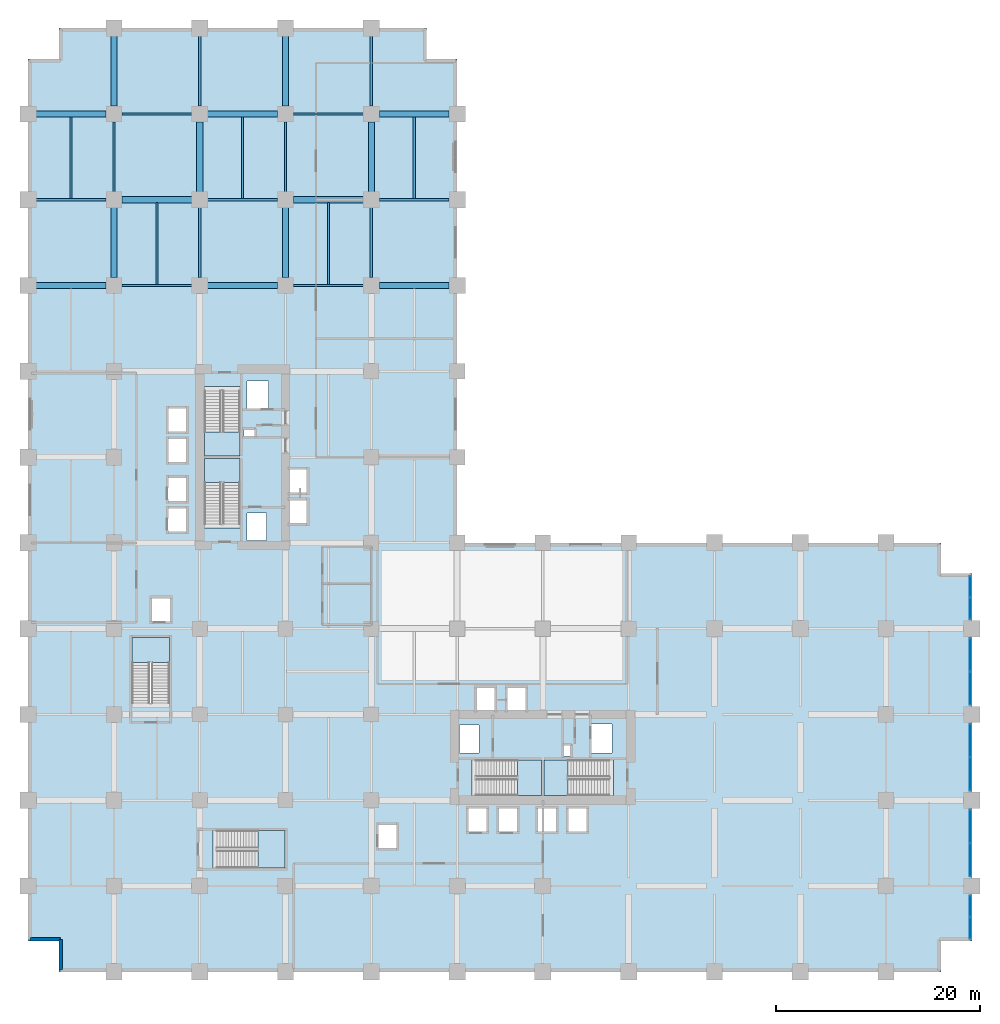
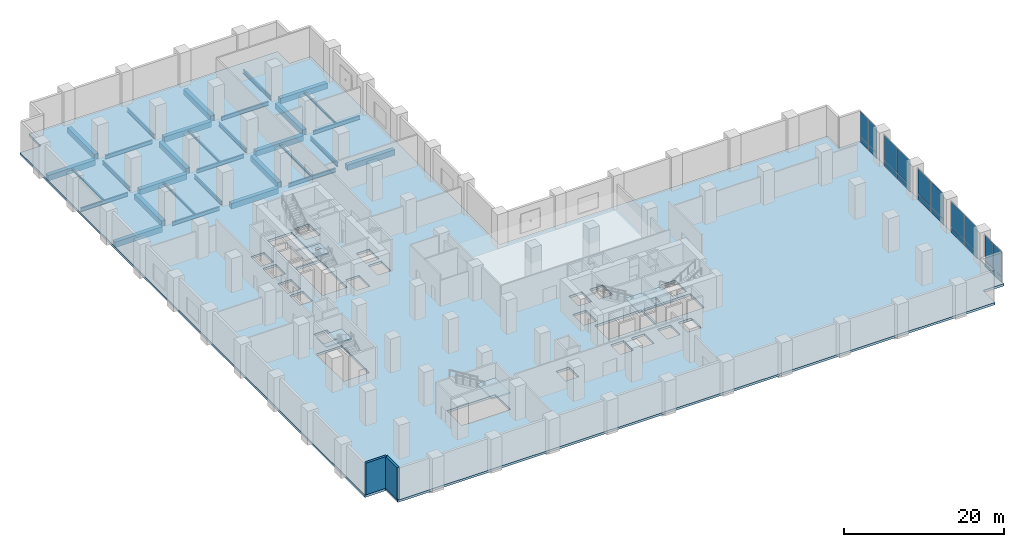
# One storey, part 8 of 19: 32 beams, 20 plates, 7 slabs, 2 walls, 11 elements without a shape of their own.
"""IFC4 building model written with IfcOpenShell, lengths in metres."""

from ifc_helpers import new_model, si_unit, direction, frame, frame_2d, origin, origin_2d, place, context, subcontext, project, spatial, polyline, rectangle, i_section, outline, extrude, material, layer, layer_set, material_profile, profile_set, type_object, element, aggregate, save


model = new_model("IFC4")

# Units and contexts
model_context = context("Model", 3, precision=1e-05, world=origin(), true_north=direction((0.0, 1.0)))
body_context = subcontext(model_context, "Body", "Model", "MODEL_VIEW")
ifc_project = project(units=[si_unit("LENGTHUNIT", "METRE"), si_unit("AREAUNIT", "SQUARE_METRE"), si_unit("VOLUMEUNIT", "CUBIC_METRE"), si_unit("PLANEANGLEUNIT", "RADIAN"), si_unit("MASSUNIT", "GRAM", prefix="KILO")], contexts=[model_context])

# Site, building, storey
site_placement = place(None, origin())
site = spatial("IfcSite", under=ifc_project, at=site_placement, CompositionType="ELEMENT")
building_placement = place(site_placement, origin())
building = spatial("IfcBuilding", under=site, at=building_placement, Name="Koriwani Terraces Tower", CompositionType="ELEMENT")
storey_placement = place(building_placement, frame((0.0, 0.0, 15.60009765625)))
storey = spatial("IfcBuildingStorey", under=building, at=storey_placement, Name="L03", CompositionType="ELEMENT", Elevation=15.60009765625)

# Beams
ifc_material_1 = material(Name="Concrete C60/75", Category="concrete")
ifc_material_profile_1 = material_profile(ifc_material_1, rectangle(XDim=0.60009765625, YDim=0.85009765625, at=origin_2d()), Name="Concrete C60/75", Category="LoadBearing")
ifc_profile_set_1 = profile_set([ifc_material_profile_1], Name="Concrete C60/75")
beam_type_1 = type_object("IfcBeamType", Name="BEAM_RC_GRID_600X850", PredefinedType="BEAM", material=ifc_profile_set_1)
beam_1_placement = place(storey_placement, frame((0.780029296875, 67.199951171875, -0.775146484375), z_axis=(1.0, 0.0, 0.0), x_axis=(0.0, 1.0, 0.0)))
element("IfcBeam", 1, at=beam_1_placement, inside=storey, type_object=beam_type_1, Name="L03 Grid Beam I (0.0-8.4m)", PredefinedType="BEAM", context=body_context, shape_type="SweptSolid", body=[
    extrude(rectangle(XDim=0.60009765625, YDim=0.85009765625, at=origin_2d()), origin(), (0.0, 0.0, 1.0), 6.840087890625),
])
beam_2_placement = place(storey_placement, frame((17.580078125, 67.199951171875, -0.775146484375), z_axis=(1.0, 0.0, 0.0), x_axis=(0.0, 1.0, 0.0)))
element("IfcBeam", 2, at=beam_2_placement, inside=storey, type_object=beam_type_1, Name="L03 Grid Beam I (16.8-25.2m)", PredefinedType="BEAM", context=body_context, shape_type="SweptSolid", body=[
    extrude(rectangle(XDim=0.60009765625, YDim=0.85009765625, at=origin_2d()), origin(), (0.0, 0.0, 1.0), 6.83984375),
])
for number, where, z_axis, x_axis, name in (
    (3, (34.3798828125, 67.199951171875, -0.775146484375), (1.0, 0.0, 0.0), (0.0, 1.0, 0.0), "L03 Grid Beam I (33.6-42.0m)"),
    (4, (9.179931640625, 75.60009765625, -0.775146484375), (1.0, 0.0, 0.0), (0.0, 1.0, 0.0), "L03 Grid Beam J (8.4-16.8m)"),
    (5, (25.97998046875, 75.60009765625, -0.775146484375), (1.0, 0.0, 0.0), (0.0, 1.0, 0.0), "L03 Grid Beam J (25.2-33.6m)"),
    (6, (0.780029296875, 84.0, -0.775146484375), (1.0, 0.0, 0.0), (0.0, 1.0, 0.0), "L03 Grid Beam K (0.0-8.4m)"),
):
    element("IfcBeam", number, at=place(storey_placement, frame(where, z_axis=z_axis, x_axis=x_axis)), inside=storey, type_object=beam_type_1, Name=name, PredefinedType="BEAM", context=body_context, shape_type="SweptSolid", body=[
        extrude(rectangle(XDim=0.60009765625, YDim=0.85009765625, at=origin_2d()), origin(), (0.0, 0.0, 1.0), 6.840087890625),
    ])
beam_3_placement = place(storey_placement, frame((17.580078125, 84.0, -0.775146484375), z_axis=(1.0, 0.0, 0.0), x_axis=(0.0, 1.0, 0.0)))
element("IfcBeam", 7, at=beam_3_placement, inside=storey, type_object=beam_type_1, Name="L03 Grid Beam K (16.8-25.2m)", PredefinedType="BEAM", context=body_context, shape_type="SweptSolid", body=[
    extrude(rectangle(XDim=0.60009765625, YDim=0.85009765625, at=origin_2d()), origin(), (0.0, 0.0, 1.0), 6.83984375),
])
for number, where, z_axis, x_axis, name in (
    (8, (34.3798828125, 84.0, -0.775146484375), (1.0, 0.0, 0.0), (0.0, 1.0, 0.0), "L03 Grid Beam K (33.6-42.0m)"),
    (9, (8.39990234375, 67.97998046875, -0.775146484375), (0.0, 1.0, 0.0), (-1.0, 0.0, 0.0), "L03 Grid Beam 2 (67.2-75.6m)"),
    (10, (8.39990234375, 84.780029296875, -0.775146484375), (0.0, 1.0, 0.0), (-1.0, 0.0, 0.0), "L03 Grid Beam 2 (84.0-92.4m)"),
    (11, (16.800048828125, 76.3798828125, -0.775146484375), (0.0, 1.0, 0.0), (-1.0, 0.0, 0.0), "L03 Grid Beam 3 (75.6-84.0m)"),
    (12, (25.199951171875, 67.97998046875, -0.775146484375), (0.0, 1.0, 0.0), (-1.0, 0.0, 0.0), "L03 Grid Beam 4 (67.2-75.6m)"),
    (13, (25.199951171875, 84.780029296875, -0.775146484375), (0.0, 1.0, 0.0), (-1.0, 0.0, 0.0), "L03 Grid Beam 4 (84.0-92.4m)"),
    (14, (33.60009765625, 76.3798828125, -0.775146484375), (0.0, 1.0, 0.0), (-1.0, 0.0, 0.0), "L03 Grid Beam 5 (75.6-84.0m)"),
):
    element("IfcBeam", number, at=place(storey_placement, frame(where, z_axis=z_axis, x_axis=x_axis)), inside=storey, type_object=beam_type_1, Name=name, PredefinedType="BEAM", context=body_context, shape_type="SweptSolid", body=[
        extrude(rectangle(XDim=0.60009765625, YDim=0.85009765625, at=origin_2d()), origin(), (0.0, 0.0, 1.0), 6.840087890625),
    ])
ifc_material_2 = material(Name="Steel ASTM A572 Grade 50", Category="steel")
ifc_material_profile_2 = material_profile(ifc_material_2, i_section(OverallWidth=0.205078125, OverallDepth=0.31005859375, WebThickness=0.009521484375, FlangeThickness=0.016357421875, at=origin_2d()), Name="Steel ASTM A572 Grade 50", Category="LoadBearing")
ifc_profile_set_2 = profile_set([ifc_material_profile_2], Name="Steel ASTM A572 Grade 50")
beam_type_2 = type_object("IfcBeamType", Name="STEEL_BEAM_W310X74", PredefinedType="JOIST", material=ifc_profile_set_2)
beam_4_placement = place(storey_placement, frame((4.199951171875, 75.70458984375, -0.505126953125), z_axis=(0.0, 1.0, 0.0), x_axis=(-1.0, 0.0, 0.0)))
element("IfcBeam", 15, at=beam_4_placement, inside=storey, type_object=beam_type_2, Name="L03 Secondary Steel Floor Joist X=4.2m", PredefinedType="JOIST", context=body_context, shape_type="SweptSolid", body=[
    extrude(i_section(OverallWidth=0.205078125, OverallDepth=0.31005859375, WebThickness=0.009521484375, FlangeThickness=0.016357421875, at=origin_2d()), origin(), (0.0, 0.0, 1.0), 8.00537109375),
])
beam_5_placement = place(storey_placement, frame((12.60009765625, 67.304443359375, -0.505126953125), z_axis=(0.0, 1.0, 0.0), x_axis=(-1.0, 0.0, 0.0)))
element("IfcBeam", 16, at=beam_5_placement, inside=storey, type_object=beam_type_2, Name="L03 Secondary Steel Floor Joist X=12.6m", PredefinedType="JOIST", context=body_context, shape_type="SweptSolid", body=[
    extrude(i_section(OverallWidth=0.205078125, OverallDepth=0.31005859375, WebThickness=0.009521484375, FlangeThickness=0.016357421875, at=origin_2d()), origin(), (0.0, 0.0, 1.0), 8.005615234375),
])
beam_6_placement = place(storey_placement, frame((21.0, 75.70458984375, -0.505126953125), z_axis=(0.0, 1.0, 0.0), x_axis=(-1.0, 0.0, 0.0)))
element("IfcBeam", 17, at=beam_6_placement, inside=storey, type_object=beam_type_2, Name="L03 Secondary Steel Floor Joist X=21.0m", PredefinedType="JOIST", context=body_context, shape_type="SweptSolid", body=[
    extrude(i_section(OverallWidth=0.205078125, OverallDepth=0.31005859375, WebThickness=0.009521484375, FlangeThickness=0.016357421875, at=origin_2d()), origin(), (0.0, 0.0, 1.0), 8.00537109375),
])
beam_7_placement = place(storey_placement, frame((29.39990234375, 67.304443359375, -0.505126953125), z_axis=(0.0, 1.0, 0.0), x_axis=(-1.0, 0.0, 0.0)))
element("IfcBeam", 18, at=beam_7_placement, inside=storey, type_object=beam_type_2, Name="L03 Secondary Steel Floor Joist X=29.4m", PredefinedType="JOIST", context=body_context, shape_type="SweptSolid", body=[
    extrude(i_section(OverallWidth=0.205078125, OverallDepth=0.31005859375, WebThickness=0.009521484375, FlangeThickness=0.016357421875, at=origin_2d()), origin(), (0.0, 0.0, 1.0), 8.005615234375),
])
beam_8_placement = place(storey_placement, frame((37.800048828125, 75.70458984375, -0.505126953125), z_axis=(0.0, 1.0, 0.0), x_axis=(-1.0, 0.0, 0.0)))
element("IfcBeam", 19, at=beam_8_placement, inside=storey, type_object=beam_type_2, Name="L03 Secondary Steel Floor Joist X=37.8m", PredefinedType="JOIST", context=body_context, shape_type="SweptSolid", body=[
    extrude(i_section(OverallWidth=0.205078125, OverallDepth=0.31005859375, WebThickness=0.009521484375, FlangeThickness=0.016357421875, at=origin_2d()), origin(), (0.0, 0.0, 1.0), 8.00537109375),
])
ifc_material_profile_3 = material_profile(ifc_material_2, i_section(OverallWidth=0.22900390625, OverallDepth=0.611083984375, WebThickness=0.0126953125, FlangeThickness=0.022216796875, at=origin_2d()), Name="Steel ASTM A572 Grade 50", Category="LoadBearing")
ifc_profile_set_3 = profile_set([ifc_material_profile_3], Name="Steel ASTM A572 Grade 50")
beam_type_3 = type_object("IfcBeamType", Name="STEEL_BEAM_W610X155", PredefinedType="BEAM", material=ifc_profile_set_3)
for number, where, z_axis, x_axis, name in (
    (20, (9.179931640625, 67.199951171875, -0.655517578125), (1.0, 0.0, 0.0), (0.0, 1.0, 0.0), "L03 Grid Beam I (8.4-16.8m)"),
    (21, (25.97998046875, 67.199951171875, -0.655517578125), (1.0, 0.0, 0.0), (0.0, 1.0, 0.0), "L03 Grid Beam I (25.2-33.6m)"),
    (22, (0.780029296875, 75.60009765625, -0.655517578125), (1.0, 0.0, 0.0), (0.0, 1.0, 0.0), "L03 Grid Beam J (0.0-8.4m)"),
):
    element("IfcBeam", number, at=place(storey_placement, frame(where, z_axis=z_axis, x_axis=x_axis)), inside=storey, type_object=beam_type_3, Name=name, PredefinedType="BEAM", context=body_context, shape_type="SweptSolid", body=[
        extrude(i_section(OverallWidth=0.22900390625, OverallDepth=0.611083984375, WebThickness=0.0126953125, FlangeThickness=0.022216796875, at=origin_2d()), origin(), (0.0, 0.0, 1.0), 6.840087890625),
    ])
beam_9_placement = place(storey_placement, frame((17.580078125, 75.60009765625, -0.655517578125), z_axis=(1.0, 0.0, 0.0), x_axis=(0.0, 1.0, 0.0)))
element("IfcBeam", 23, at=beam_9_placement, inside=storey, type_object=beam_type_3, Name="L03 Grid Beam J (16.8-25.2m)", PredefinedType="BEAM", context=body_context, shape_type="SweptSolid", body=[
    extrude(i_section(OverallWidth=0.22900390625, OverallDepth=0.611083984375, WebThickness=0.0126953125, FlangeThickness=0.022216796875, at=origin_2d()), origin(), (0.0, 0.0, 1.0), 6.83984375),
])
for number, where, z_axis, x_axis, name in (
    (24, (34.3798828125, 75.60009765625, -0.655517578125), (1.0, 0.0, 0.0), (0.0, 1.0, 0.0), "L03 Grid Beam J (33.6-42.0m)"),
    (25, (9.179931640625, 84.0, -0.655517578125), (1.0, 0.0, 0.0), (0.0, 1.0, 0.0), "L03 Grid Beam K (8.4-16.8m)"),
    (26, (25.97998046875, 84.0, -0.655517578125), (1.0, 0.0, 0.0), (0.0, 1.0, 0.0), "L03 Grid Beam K (25.2-33.6m)"),
    (27, (8.39990234375, 76.3798828125, -0.655517578125), (0.0, 1.0, 0.0), (-1.0, 0.0, 0.0), "L03 Grid Beam 2 (75.6-84.0m)"),
    (28, (16.800048828125, 67.97998046875, -0.655517578125), (0.0, 1.0, 0.0), (-1.0, 0.0, 0.0), "L03 Grid Beam 3 (67.2-75.6m)"),
    (29, (16.800048828125, 84.780029296875, -0.655517578125), (0.0, 1.0, 0.0), (-1.0, 0.0, 0.0), "L03 Grid Beam 3 (84.0-92.4m)"),
    (30, (25.199951171875, 76.3798828125, -0.655517578125), (0.0, 1.0, 0.0), (-1.0, 0.0, 0.0), "L03 Grid Beam 4 (75.6-84.0m)"),
    (31, (33.60009765625, 67.97998046875, -0.655517578125), (0.0, 1.0, 0.0), (-1.0, 0.0, 0.0), "L03 Grid Beam 5 (67.2-75.6m)"),
    (32, (33.60009765625, 84.780029296875, -0.655517578125), (0.0, 1.0, 0.0), (-1.0, 0.0, 0.0), "L03 Grid Beam 5 (84.0-92.4m)"),
):
    element("IfcBeam", number, at=place(storey_placement, frame(where, z_axis=z_axis, x_axis=x_axis)), inside=storey, type_object=beam_type_3, Name=name, PredefinedType="BEAM", context=body_context, shape_type="SweptSolid", body=[
        extrude(i_section(OverallWidth=0.22900390625, OverallDepth=0.611083984375, WebThickness=0.0126953125, FlangeThickness=0.022216796875, at=origin_2d()), origin(), (0.0, 0.0, 1.0), 6.840087890625),
    ])

# Curtain wall, plates
ifc_material_3 = material(Name="Anodised Bronze Aluminium", Category="aluminium")
ifc_layer_1 = layer(ifc_material_3, 0.199951171875, Name="Anodised Bronze Aluminium")
ifc_layer_set_1 = layer_set([ifc_layer_1], Name="Anodised Bronze Aluminium")
curtain_wall_type = type_object("IfcCurtainWallType", Name="CW_PODIUM_GALLERIA", PredefinedType="NOTDEFINED", material=ifc_layer_set_1)
curtain_wall_1_placement = place(storey_placement, origin())
curtain_wall_1 = element("IfcCurtainWall", 33, at=curtain_wall_1_placement, inside=storey, type_object=curtain_wall_type, Name="L03 Unitised Curtain Wall (E_TIP) Bay 1", PredefinedType="NOTDEFINED")
ifc_material_4 = material(Name="Tempered Laminated Low-E Glass", Category="glass")
ifc_layer_2 = layer(ifc_material_4, 0.028076171875, Name="Tempered Laminated Low-E Glass")
ifc_layer_set_2 = layer_set([ifc_layer_2], Name="Tempered Laminated Low-E Glass")
plate_type = type_object("IfcPlateType", Name="CW_PANEL_VISION_28", PredefinedType="CURTAIN_PANEL", material=ifc_layer_set_2)
plate_1_placement = place(storey_placement, frame((92.22509765625, 37.71240234375, 0.06494140625), z_axis=(0.0, 0.0, 1.0), x_axis=(0.0, -1.0, 0.0)))
plate_1 = element("IfcPlate", 34, at=plate_1_placement, type_object=plate_type, Name="CW-POD panel 1.1", PredefinedType="CURTAIN_PANEL", context=body_context, shape_type="SweptSolid", body=[
    extrude(rectangle(XDim=2.054931640625, YDim=0.028076171875, at=origin_2d()), origin(), (0.0, 0.0, 1.0), 0.802490234375),
])
plate_2_placement = place(storey_placement, frame((92.22509765625, 37.71240234375, 0.932373046875), z_axis=(0.0, 0.0, 1.0), x_axis=(0.0, -1.0, 0.0)))
plate_2 = element("IfcPlate", 35, at=plate_2_placement, type_object=plate_type, Name="CW-POD panel 1.2", PredefinedType="CURTAIN_PANEL", context=body_context, shape_type="SweptSolid", body=[
    extrude(rectangle(XDim=2.054931640625, YDim=0.028076171875, at=origin_2d()), origin(), (0.0, 0.0, 1.0), 3.8525390625),
])
plate_3_placement = place(storey_placement, frame((92.22509765625, 35.572509765625, 0.06494140625), z_axis=(0.0, 0.0, 1.0), x_axis=(0.0, -1.0, 0.0)))
plate_3 = element("IfcPlate", 36, at=plate_3_placement, type_object=plate_type, Name="CW-POD panel 2.1", PredefinedType="CURTAIN_PANEL", context=body_context, shape_type="SweptSolid", body=[
    extrude(rectangle(XDim=2.054931640625, YDim=0.028076171875, at=origin_2d()), origin(), (0.0, 0.0, 1.0), 0.802490234375),
])
plate_4_placement = place(storey_placement, frame((92.22509765625, 35.572509765625, 0.932373046875), z_axis=(0.0, 0.0, 1.0), x_axis=(0.0, -1.0, 0.0)))
plate_4 = element("IfcPlate", 37, at=plate_4_placement, type_object=plate_type, Name="CW-POD panel 2.2", PredefinedType="CURTAIN_PANEL", context=body_context, shape_type="SweptSolid", body=[
    extrude(rectangle(XDim=2.054931640625, YDim=0.028076171875, at=origin_2d()), origin(), (0.0, 0.0, 1.0), 3.8525390625),
])
aggregate(curtain_wall_1, [plate_1, plate_2, plate_3, plate_4])

curtain_wall_2_placement = place(storey_placement, origin())
curtain_wall_2 = element("IfcCurtainWall", 38, at=curtain_wall_2_placement, inside=storey, type_object=curtain_wall_type, Name="L03 Unitised Curtain Wall (E_TIP) Bay 2", PredefinedType="NOTDEFINED")
plate_5_placement = place(storey_placement, frame((92.22509765625, 31.048828125, 0.06494140625), z_axis=(0.0, 0.0, 1.0), x_axis=(0.0, -1.0, 0.0)))
plate_5 = element("IfcPlate", 39, at=plate_5_placement, type_object=plate_type, Name="CW-POD panel 1.1", PredefinedType="CURTAIN_PANEL", context=body_context, shape_type="SweptSolid", body=[
    extrude(rectangle(XDim=3.21240234375, YDim=0.028076171875, at=origin_2d()), origin(), (0.0, 0.0, 1.0), 0.802490234375),
])
plate_6_placement = place(storey_placement, frame((92.22509765625, 31.048828125, 0.932373046875), z_axis=(0.0, 0.0, 1.0), x_axis=(0.0, -1.0, 0.0)))
plate_6 = element("IfcPlate", 40, at=plate_6_placement, type_object=plate_type, Name="CW-POD panel 1.2", PredefinedType="CURTAIN_PANEL", context=body_context, shape_type="SweptSolid", body=[
    extrude(rectangle(XDim=3.21240234375, YDim=0.028076171875, at=origin_2d()), origin(), (0.0, 0.0, 1.0), 3.8525390625),
])
plate_7_placement = place(storey_placement, frame((92.22509765625, 27.751220703125, 0.06494140625), z_axis=(0.0, 0.0, 1.0), x_axis=(0.0, -1.0, 0.0)))
plate_7 = element("IfcPlate", 41, at=plate_7_placement, type_object=plate_type, Name="CW-POD panel 2.1", PredefinedType="CURTAIN_PANEL", context=body_context, shape_type="SweptSolid", body=[
    extrude(rectangle(XDim=3.21240234375, YDim=0.028076171875, at=origin_2d()), origin(), (0.0, 0.0, 1.0), 0.802490234375),
])
plate_8_placement = place(storey_placement, frame((92.22509765625, 27.751220703125, 0.932373046875), z_axis=(0.0, 0.0, 1.0), x_axis=(0.0, -1.0, 0.0)))
plate_8 = element("IfcPlate", 42, at=plate_8_placement, type_object=plate_type, Name="CW-POD panel 2.2", PredefinedType="CURTAIN_PANEL", context=body_context, shape_type="SweptSolid", body=[
    extrude(rectangle(XDim=3.21240234375, YDim=0.028076171875, at=origin_2d()), origin(), (0.0, 0.0, 1.0), 3.8525390625),
])
aggregate(curtain_wall_2, [plate_5, plate_6, plate_7, plate_8])

curtain_wall_3_placement = place(storey_placement, origin())
curtain_wall_3 = element("IfcCurtainWall", 43, at=curtain_wall_3_placement, inside=storey, type_object=curtain_wall_type, Name="L03 Unitised Curtain Wall (E_TIP) Bay 3", PredefinedType="NOTDEFINED")
plate_9_placement = place(storey_placement, frame((92.22509765625, 22.648681640625, 0.06494140625), z_axis=(0.0, 0.0, 1.0), x_axis=(0.0, -1.0, 0.0)))
plate_9 = element("IfcPlate", 44, at=plate_9_placement, type_object=plate_type, Name="CW-POD panel 1.1", PredefinedType="CURTAIN_PANEL", context=body_context, shape_type="SweptSolid", body=[
    extrude(rectangle(XDim=3.21240234375, YDim=0.028076171875, at=origin_2d()), origin(), (0.0, 0.0, 1.0), 0.802490234375),
])
plate_10_placement = place(storey_placement, frame((92.22509765625, 22.648681640625, 0.932373046875), z_axis=(0.0, 0.0, 1.0), x_axis=(0.0, -1.0, 0.0)))
plate_10 = element("IfcPlate", 45, at=plate_10_placement, type_object=plate_type, Name="CW-POD panel 1.2", PredefinedType="CURTAIN_PANEL", context=body_context, shape_type="SweptSolid", body=[
    extrude(rectangle(XDim=3.21240234375, YDim=0.028076171875, at=origin_2d()), origin(), (0.0, 0.0, 1.0), 3.8525390625),
])
plate_11_placement = place(storey_placement, frame((92.22509765625, 19.351318359375, 0.06494140625), z_axis=(0.0, 0.0, 1.0), x_axis=(0.0, -1.0, 0.0)))
plate_11 = element("IfcPlate", 46, at=plate_11_placement, type_object=plate_type, Name="CW-POD panel 2.1", PredefinedType="CURTAIN_PANEL", context=body_context, shape_type="SweptSolid", body=[
    extrude(rectangle(XDim=3.21240234375, YDim=0.028076171875, at=origin_2d()), origin(), (0.0, 0.0, 1.0), 0.802490234375),
])
plate_12_placement = place(storey_placement, frame((92.22509765625, 19.351318359375, 0.932373046875), z_axis=(0.0, 0.0, 1.0), x_axis=(0.0, -1.0, 0.0)))
plate_12 = element("IfcPlate", 47, at=plate_12_placement, type_object=plate_type, Name="CW-POD panel 2.2", PredefinedType="CURTAIN_PANEL", context=body_context, shape_type="SweptSolid", body=[
    extrude(rectangle(XDim=3.21240234375, YDim=0.028076171875, at=origin_2d()), origin(), (0.0, 0.0, 1.0), 3.8525390625),
])
aggregate(curtain_wall_3, [plate_9, plate_10, plate_11, plate_12])

curtain_wall_4_placement = place(storey_placement, origin())
curtain_wall_4 = element("IfcCurtainWall", 48, at=curtain_wall_4_placement, inside=storey, type_object=curtain_wall_type, Name="L03 Unitised Curtain Wall (E_TIP) Bay 4", PredefinedType="NOTDEFINED")
plate_13_placement = place(storey_placement, frame((92.22509765625, 14.248779296875, 0.06494140625), z_axis=(0.0, 0.0, 1.0), x_axis=(0.0, -1.0, 0.0)))
plate_13 = element("IfcPlate", 49, at=plate_13_placement, type_object=plate_type, Name="CW-POD panel 1.1", PredefinedType="CURTAIN_PANEL", context=body_context, shape_type="SweptSolid", body=[
    extrude(rectangle(XDim=3.21240234375, YDim=0.028076171875, at=origin_2d()), origin(), (0.0, 0.0, 1.0), 0.802490234375),
])
plate_14_placement = place(storey_placement, frame((92.22509765625, 14.248779296875, 0.932373046875), z_axis=(0.0, 0.0, 1.0), x_axis=(0.0, -1.0, 0.0)))
plate_14 = element("IfcPlate", 50, at=plate_14_placement, type_object=plate_type, Name="CW-POD panel 1.2", PredefinedType="CURTAIN_PANEL", context=body_context, shape_type="SweptSolid", body=[
    extrude(rectangle(XDim=3.21240234375, YDim=0.028076171875, at=origin_2d()), origin(), (0.0, 0.0, 1.0), 3.8525390625),
])
plate_15_placement = place(storey_placement, frame((92.22509765625, 10.951171875, 0.06494140625), z_axis=(0.0, 0.0, 1.0), x_axis=(0.0, -1.0, 0.0)))
plate_15 = element("IfcPlate", 51, at=plate_15_placement, type_object=plate_type, Name="CW-POD panel 2.1", PredefinedType="CURTAIN_PANEL", context=body_context, shape_type="SweptSolid", body=[
    extrude(rectangle(XDim=3.21240234375, YDim=0.028076171875, at=origin_2d()), origin(), (0.0, 0.0, 1.0), 0.802490234375),
])
plate_16_placement = place(storey_placement, frame((92.22509765625, 10.951171875, 0.932373046875), z_axis=(0.0, 0.0, 1.0), x_axis=(0.0, -1.0, 0.0)))
plate_16 = element("IfcPlate", 52, at=plate_16_placement, type_object=plate_type, Name="CW-POD panel 2.2", PredefinedType="CURTAIN_PANEL", context=body_context, shape_type="SweptSolid", body=[
    extrude(rectangle(XDim=3.21240234375, YDim=0.028076171875, at=origin_2d()), origin(), (0.0, 0.0, 1.0), 3.8525390625),
])
aggregate(curtain_wall_4, [plate_13, plate_14, plate_15, plate_16])

curtain_wall_5_placement = place(storey_placement, origin())
curtain_wall_5 = element("IfcCurtainWall", 53, at=curtain_wall_5_placement, inside=storey, type_object=curtain_wall_type, Name="L03 Unitised Curtain Wall (E_TIP) Bay 5", PredefinedType="NOTDEFINED")
plate_17_placement = place(storey_placement, frame((92.22509765625, 6.427490234375, 0.06494140625), z_axis=(0.0, 0.0, 1.0), x_axis=(0.0, -1.0, 0.0)))
plate_17 = element("IfcPlate", 54, at=plate_17_placement, type_object=plate_type, Name="CW-POD panel 1.1", PredefinedType="CURTAIN_PANEL", context=body_context, shape_type="SweptSolid", body=[
    extrude(rectangle(XDim=2.054931640625, YDim=0.028076171875, at=origin_2d()), origin(), (0.0, 0.0, 1.0), 0.802490234375),
])
plate_18_placement = place(storey_placement, frame((92.22509765625, 6.427490234375, 0.932373046875), z_axis=(0.0, 0.0, 1.0), x_axis=(0.0, -1.0, 0.0)))
plate_18 = element("IfcPlate", 55, at=plate_18_placement, type_object=plate_type, Name="CW-POD panel 1.2", PredefinedType="CURTAIN_PANEL", context=body_context, shape_type="SweptSolid", body=[
    extrude(rectangle(XDim=2.054931640625, YDim=0.028076171875, at=origin_2d()), origin(), (0.0, 0.0, 1.0), 3.8525390625),
])
plate_19_placement = place(storey_placement, frame((92.22509765625, 4.28759765625, 0.06494140625), z_axis=(0.0, 0.0, 1.0), x_axis=(0.0, -1.0, 0.0)))
plate_19 = element("IfcPlate", 56, at=plate_19_placement, type_object=plate_type, Name="CW-POD panel 2.1", PredefinedType="CURTAIN_PANEL", context=body_context, shape_type="SweptSolid", body=[
    extrude(rectangle(XDim=2.054931640625, YDim=0.028076171875, at=origin_2d()), origin(), (0.0, 0.0, 1.0), 0.802490234375),
])
plate_20_placement = place(storey_placement, frame((92.22509765625, 4.28759765625, 0.932373046875), z_axis=(0.0, 0.0, 1.0), x_axis=(0.0, -1.0, 0.0)))
plate_20 = element("IfcPlate", 57, at=plate_20_placement, type_object=plate_type, Name="CW-POD panel 2.2", PredefinedType="CURTAIN_PANEL", context=body_context, shape_type="SweptSolid", body=[
    extrude(rectangle(XDim=2.054931640625, YDim=0.028076171875, at=origin_2d()), origin(), (0.0, 0.0, 1.0), 3.8525390625),
])
aggregate(curtain_wall_5, [plate_17, plate_18, plate_19, plate_20])

# Slab
ifc_material_5 = material(Name="Concrete C50/60", Category="concrete")
ifc_layer_3 = layer(ifc_material_5, 0.35009765625, Name="Concrete C50/60")
ifc_layer_set_3 = layer_set([ifc_layer_3], Name="Concrete C50/60")
slab_type_1 = type_object("IfcSlabType", Name="SLAB_PODIUM_350", PredefinedType="FLOOR", material=ifc_layer_set_3)
slab_1_placement = place(storey_placement, frame((0.0, 0.0, -0.35009765625)))
element("IfcSlab", 58, at=slab_1_placement, inside=storey, type_object=slab_type_1, Name="L03 Structural Floor Slab", PredefinedType="FLOOR", context=body_context, shape_type="SweptSolid", body=[
    extrude(outline(polyline([(3.0, 0.0), (89.39990234375, 0.0), (89.39990234375, 3.0), (92.39990234375, 3.0), (92.39990234375, 39.0), (89.39990234375, 39.0), (89.39990234375, 42.0), (42.0, 42.0), (42.0, 89.39990234375), (39.0, 89.39990234375), (39.0, 92.39990234375), (3.0, 92.39990234375), (3.0, 89.39990234375), (0.0, 89.39990234375), (0.0, 3.0), (3.0, 3.0), (3.0, 0.0)]), holes=[polyline([(17.25, 43.4599609375), (20.75, 43.4599609375), (20.75, 50.25), (17.25, 50.25), (17.25, 43.4599609375)]), polyline([(17.25, 50.5), (20.75, 50.5), (20.75, 57.2900390625), (17.25, 57.2900390625), (17.25, 50.5)]), polyline([(43.4599609375, 17.25), (50.25, 17.25), (50.25, 20.75), (43.4599609375, 20.75), (43.4599609375, 17.25)]), polyline([(50.5, 17.25), (57.2900390625, 17.25), (57.2900390625, 20.75), (50.5, 20.75), (50.5, 17.25)]), polyline([(10.14990234375, 25.909912109375), (13.85009765625, 25.909912109375), (13.85009765625, 32.75), (10.14990234375, 32.75), (10.14990234375, 25.909912109375)]), polyline([(18.110107421875, 10.14990234375), (25.14990234375, 10.14990234375), (25.14990234375, 13.85009765625), (18.110107421875, 13.85009765625), (18.110107421875, 10.14990234375)]), polyline([(12.050048828125, 34.25), (13.949951171875, 34.25), (13.949951171875, 36.64990234375), (12.050048828125, 36.64990234375), (12.050048828125, 34.25)]), polyline([(34.25, 12.050048828125), (36.14990234375, 12.050048828125), (36.14990234375, 14.449951171875), (34.25, 14.449951171875), (34.25, 12.050048828125)]), polyline([(13.64990234375, 43.050048828125), (15.550048828125, 43.050048828125), (15.550048828125, 45.449951171875), (13.64990234375, 45.449951171875), (13.64990234375, 43.050048828125)]), polyline([(13.64990234375, 46.050048828125), (15.550048828125, 46.050048828125), (15.550048828125, 48.449951171875), (13.64990234375, 48.449951171875), (13.64990234375, 46.050048828125)]), polyline([(43.050048828125, 13.64990234375), (44.949951171875, 13.64990234375), (44.949951171875, 16.050048828125), (43.050048828125, 16.050048828125), (43.050048828125, 13.64990234375)]), polyline([(46.050048828125, 13.64990234375), (47.949951171875, 13.64990234375), (47.949951171875, 16.050048828125), (46.050048828125, 16.050048828125), (46.050048828125, 13.64990234375)]), polyline([(13.64990234375, 49.85009765625), (15.550048828125, 49.85009765625), (15.550048828125, 52.25), (13.64990234375, 52.25), (13.64990234375, 49.85009765625)]), polyline([(13.64990234375, 52.85009765625), (15.550048828125, 52.85009765625), (15.550048828125, 55.25), (13.64990234375, 55.25), (13.64990234375, 52.85009765625)]), polyline([(49.85009765625, 13.64990234375), (51.75, 13.64990234375), (51.75, 16.050048828125), (49.85009765625, 16.050048828125), (49.85009765625, 13.64990234375)]), polyline([(52.85009765625, 13.64990234375), (54.75, 13.64990234375), (54.75, 16.050048828125), (52.85009765625, 16.050048828125), (52.85009765625, 13.64990234375)]), polyline([(25.449951171875, 43.85009765625), (27.35009765625, 43.85009765625), (27.35009765625, 46.25), (25.449951171875, 46.25), (25.449951171875, 43.85009765625)]), polyline([(25.449951171875, 46.85009765625), (27.35009765625, 46.85009765625), (27.35009765625, 49.25), (25.449951171875, 49.25), (25.449951171875, 46.85009765625)]), polyline([(43.85009765625, 25.449951171875), (45.75, 25.449951171875), (45.75, 27.85009765625), (43.85009765625, 27.85009765625), (43.85009765625, 25.449951171875)]), polyline([(46.85009765625, 25.449951171875), (48.75, 25.449951171875), (48.75, 27.85009765625), (46.85009765625, 27.85009765625), (46.85009765625, 25.449951171875)]), polyline([(21.449951171875, 55.050048828125), (23.550048828125, 55.050048828125), (23.550048828125, 57.85009765625), (21.449951171875, 57.85009765625), (21.449951171875, 55.050048828125)]), polyline([(55.050048828125, 21.449951171875), (57.14990234375, 21.449951171875), (57.14990234375, 24.25), (55.050048828125, 24.25), (55.050048828125, 21.449951171875)]), polyline([(21.449951171875, 42.25), (23.35009765625, 42.25), (23.35009765625, 44.949951171875), (21.449951171875, 44.949951171875), (21.449951171875, 42.25)]), polyline([(42.25, 21.449951171875), (44.14990234375, 21.449951171875), (44.14990234375, 24.14990234375), (42.25, 24.14990234375), (42.25, 21.449951171875)]), polyline([(21.14990234375, 52.419921875), (22.219970703125, 52.419921875), (22.219970703125, 53.179931640625), (21.14990234375, 53.179931640625), (21.14990234375, 52.419921875)]), polyline([(52.419921875, 21.14990234375), (53.179931640625, 21.14990234375), (53.179931640625, 22.219970703125), (52.419921875, 22.219970703125), (52.419921875, 21.14990234375)])]), origin(), (0.0, 0.0, 1.0), 0.35009765625),
])

# Stair, slab
ifc_material_6 = material(Name="Concrete C40/50", Category="concrete")
stair_type_1 = type_object("IfcStairType", Name="STAIR_CORE_DOGLEG_1650", PredefinedType="TWO_STRAIGHT_RUN_STAIR", material=ifc_material_6)
stair_1_placement = place(storey_placement, origin())
stair_1 = element("IfcStair", 59, at=stair_1_placement, inside=storey, type_object=stair_type_1, Name="L03 West Core Exit Stair 1", PredefinedType="HALF_TURN_STAIR")
ifc_layer_4 = layer(ifc_material_6, 0.199951171875, Name="Concrete C40/50")
ifc_layer_set_4 = layer_set([ifc_layer_4], Name="Concrete C40/50")
slab_type_2 = type_object("IfcSlabType", Name="SLAB_STAIR_LANDING_200", PredefinedType="LANDING", material=ifc_layer_set_4)
slab_2_placement = place(storey_placement, frame((0.0, 0.0, 2.39990234375)))
slab_2 = element("IfcSlab", 60, at=slab_2_placement, type_object=slab_type_2, Name="ST-W1 landing 1", PredefinedType="LANDING", context=body_context, shape_type="SweptSolid", body=[
    extrude(outline(polyline([(20.75, 47.909912109375), (20.75, 50.25), (17.25, 50.25), (17.25, 47.909912109375), (20.75, 47.909912109375)])), origin(), (0.0, 0.0, 1.0), 0.199951171875),
])
aggregate(stair_1, [slab_2])

stair_2_placement = place(storey_placement, origin())
stair_2 = element("IfcStair", 61, at=stair_2_placement, inside=storey, type_object=stair_type_1, Name="L03 West Core Exit Stair 2", PredefinedType="HALF_TURN_STAIR")
slab_3_placement = place(storey_placement, frame((0.0, 0.0, 2.39990234375)))
slab_3 = element("IfcSlab", 62, at=slab_3_placement, type_object=slab_type_2, Name="ST-W2 landing 1", PredefinedType="LANDING", context=body_context, shape_type="SweptSolid", body=[
    extrude(outline(polyline([(17.25, 52.840087890625), (17.25, 50.5), (20.75, 50.5), (20.75, 52.840087890625), (17.25, 52.840087890625)])), origin(), (0.0, 0.0, 1.0), 0.199951171875),
])
aggregate(stair_2, [slab_3])

stair_3_placement = place(storey_placement, origin())
stair_3 = element("IfcStair", 63, at=stair_3_placement, inside=storey, type_object=stair_type_1, Name="L03 East Core Exit Stair 1", PredefinedType="HALF_TURN_STAIR")
slab_4_placement = place(storey_placement, frame((0.0, 0.0, 2.39990234375)))
slab_4 = element("IfcSlab", 64, at=slab_4_placement, type_object=slab_type_2, Name="ST-E1 landing 1", PredefinedType="LANDING", context=body_context, shape_type="SweptSolid", body=[
    extrude(outline(polyline([(47.909912109375, 17.25), (50.25, 17.25), (50.25, 20.75), (47.909912109375, 20.75), (47.909912109375, 17.25)])), origin(), (0.0, 0.0, 1.0), 0.199951171875),
])
aggregate(stair_3, [slab_4])

stair_4_placement = place(storey_placement, origin())
stair_4 = element("IfcStair", 65, at=stair_4_placement, inside=storey, type_object=stair_type_1, Name="L03 East Core Exit Stair 2", PredefinedType="HALF_TURN_STAIR")
slab_5_placement = place(storey_placement, frame((0.0, 0.0, 2.39990234375)))
slab_5 = element("IfcSlab", 66, at=slab_5_placement, type_object=slab_type_2, Name="ST-E2 landing 1", PredefinedType="LANDING", context=body_context, shape_type="SweptSolid", body=[
    extrude(outline(polyline([(52.840087890625, 20.75), (50.5, 20.75), (50.5, 17.25), (52.840087890625, 17.25), (52.840087890625, 20.75)])), origin(), (0.0, 0.0, 1.0), 0.199951171875),
])
aggregate(stair_4, [slab_5])

stair_type_2 = type_object("IfcStairType", Name="STAIR_PODIUM_DOGLEG_1750", PredefinedType="TWO_STRAIGHT_RUN_STAIR", material=ifc_material_6)
stair_5_placement = place(storey_placement, origin())
stair_5 = element("IfcStair", 67, at=stair_5_placement, inside=storey, type_object=stair_type_2, Name="L03 Podium West Exit Stair", PredefinedType="HALF_TURN_STAIR")
slab_6_placement = place(storey_placement, frame((0.0, 0.0, 2.39990234375)))
slab_6 = element("IfcSlab", 68, at=slab_6_placement, type_object=slab_type_2, Name="ST-P1 landing 1", PredefinedType="LANDING", context=body_context, shape_type="SweptSolid", body=[
    extrude(outline(polyline([(13.85009765625, 30.2900390625), (13.85009765625, 32.75), (10.14990234375, 32.75), (10.14990234375, 30.2900390625), (13.85009765625, 30.2900390625)])), origin(), (0.0, 0.0, 1.0), 0.199951171875),
])
aggregate(stair_5, [slab_6])

stair_6_placement = place(storey_placement, origin())
stair_6 = element("IfcStair", 69, at=stair_6_placement, inside=storey, type_object=stair_type_2, Name="L03 Podium South Exit Stair", PredefinedType="HALF_TURN_STAIR")
slab_7_placement = place(storey_placement, frame((0.0, 0.0, 2.39990234375)))
slab_7 = element("IfcSlab", 70, at=slab_7_placement, type_object=slab_type_2, Name="ST-P2 landing 1", PredefinedType="LANDING", context=body_context, shape_type="SweptSolid", body=[
    extrude(outline(polyline([(22.489990234375, 10.14990234375), (25.14990234375, 10.14990234375), (25.14990234375, 13.85009765625), (22.489990234375, 13.85009765625), (22.489990234375, 10.14990234375)])), origin(), (0.0, 0.0, 1.0), 0.199951171875),
])
aggregate(stair_6, [slab_7])

# Walls
ifc_layer_5 = layer(ifc_material_5, 0.35009765625, Name="Concrete C50/60")
ifc_layer_set_5 = layer_set([ifc_layer_5], Name="Concrete C50/60")
wall_type = type_object("IfcWallType", Name="WALL_EXT_BRUTALIST_350", PredefinedType="STANDARD", material=ifc_layer_set_5)
for number, where, z_axis, x_axis, name in (
    (71, (3.175048828125, 0.175048828125, 0.0), (0.0, 0.0, 1.0), (0.0, 1.0, 0.0), "L03 Fair-Faced Brutalist Exterior Wall (N0)"),
    (72, (3.175048828125, 3.175048828125, 0.0), (0.0, 0.0, 1.0), (-1.0, 0.0, 0.0), "L03 Fair-Faced Brutalist Exterior Wall (N1)"),
):
    element("IfcWall", number, at=place(storey_placement, frame(where, z_axis=z_axis, x_axis=x_axis)), inside=storey, type_object=wall_type, Name=name, PredefinedType="STANDARD", context=body_context, shape_type="SweptSolid", body=[
        extrude(rectangle(XDim=3.0, YDim=0.35009765625, at=frame_2d((1.5, 0.0))), origin(), (0.0, 0.0, 1.0), 4.849853515625),
    ])

save(model, "model.ifc")
